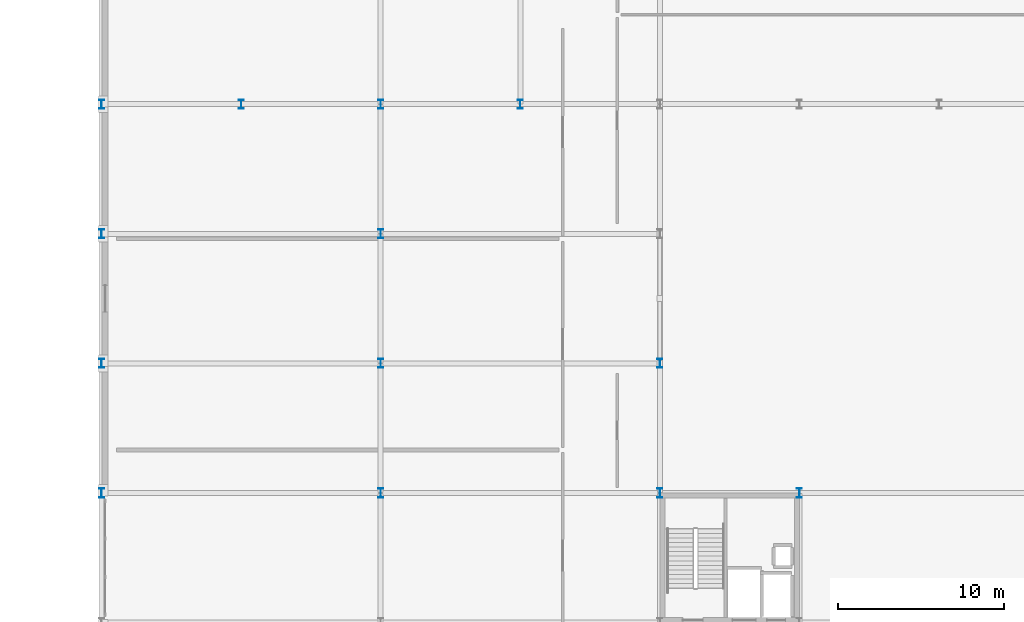
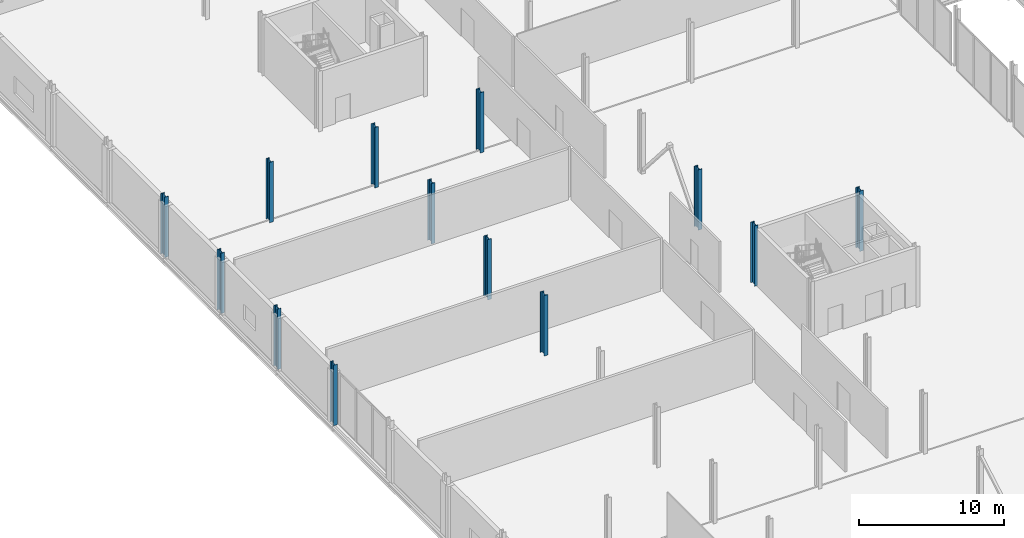
# One storey, part 8 of 105: 13 columns.
"""IFC4 building model written with IfcOpenShell, lengths in metres."""

from ifc_helpers import new_model, si_unit, direction, frame, origin, origin_2d, place, context, subcontext, project, spatial, i_section, extrude, material, material_profile, profile_set, type_object, element, save


model = new_model("IFC4")

# Units and contexts
model_context = context("Model", 3, precision=1e-05, world=origin(), true_north=direction((0.0, 1.0)))
body_context = subcontext(model_context, "Body", "Model", "MODEL_VIEW")
ifc_project = project(units=[si_unit("LENGTHUNIT", "METRE"), si_unit("AREAUNIT", "SQUARE_METRE"), si_unit("VOLUMEUNIT", "CUBIC_METRE"), si_unit("PLANEANGLEUNIT", "RADIAN"), si_unit("MASSUNIT", "GRAM", prefix="KILO")], contexts=[model_context])

# Site, building, storey
site_placement = place(None, origin())
site = spatial("IfcSite", under=ifc_project, at=site_placement, CompositionType="ELEMENT")
building_placement = place(site_placement, origin())
building = spatial("IfcBuilding", under=site, at=building_placement, Name="Nabrawat Pavilion Hospital", CompositionType="ELEMENT")
storey_placement = place(building_placement, frame((0.0, 0.0, 5.10009765625)))
storey = spatial("IfcBuildingStorey", under=building, at=storey_placement, Name="L01", CompositionType="ELEMENT", Elevation=5.10009765625)

# Columns
ifc_material = material(Name="Steel S355", Category="steel")
ifc_material_profile = material_profile(ifc_material, i_section(OverallWidth=0.300048828125, OverallDepth=0.550048828125, WebThickness=0.014892578125, FlangeThickness=0.029052734375, FilletRadius=0.027099609375, at=origin_2d()), Name="HEB 550")
ifc_profile_set = profile_set([ifc_material_profile], Name="Steel S355")
column_type = type_object("IfcColumnType", Name="Composite Steel Column HEB 550", PredefinedType="COLUMN", material=ifc_profile_set)
for number, where, z_axis, x_axis, name in (
    (1, (0.0, 62.39990234375, 0.0), (0.0, 0.0, 1.0), (1.0, 0.0, 0.0), "L01 Structural Column G-1-J"),
    (2, (0.0, 70.199951171875, 0.0), (0.0, 0.0, 1.0), (1.0, 0.0, 0.0), "L01 Structural Column G-1-K"),
    (3, (0.0, 78.0, 0.0), (0.0, 0.0, 1.0), (1.0, 0.0, 0.0), "L01 Structural Column G-1-L"),
    (4, (0.0, 85.800048828125, 0.0), (0.0, 0.0, 1.0), (1.0, 0.0, 0.0), "L01 Structural Column G-1-M1"),
    (5, (8.39990234375, 85.800048828125, 0.0), (0.0, 0.0, 1.0), (1.0, 0.0, 0.0), "L01 Structural Column G-2-M1"),
    (6, (16.800048828125, 62.39990234375, 0.0), (0.0, 0.0, 1.0), (1.0, 0.0, 0.0), "L01 Structural Column G-3-J"),
    (7, (16.800048828125, 70.199951171875, 0.0), (0.0, 0.0, 1.0), (1.0, 0.0, 0.0), "L01 Structural Column G-3-K"),
    (8, (16.800048828125, 78.0, 0.0), (0.0, 0.0, 1.0), (1.0, 0.0, 0.0), "L01 Structural Column G-3-L"),
    (9, (16.800048828125, 85.800048828125, 0.0), (0.0, 0.0, 1.0), (1.0, 0.0, 0.0), "L01 Structural Column G-3-M1"),
    (10, (25.199951171875, 85.800048828125, 0.0), (0.0, 0.0, 1.0), (1.0, 0.0, 0.0), "L01 Structural Column G-4-M1"),
    (11, (33.60009765625, 62.39990234375, 0.0), (0.0, 0.0, 1.0), (1.0, 0.0, 0.0), "L01 Structural Column G-5-J"),
    (12, (33.60009765625, 70.199951171875, 0.0), (0.0, 0.0, 1.0), (1.0, 0.0, 0.0), "L01 Structural Column G-5-K"),
    (13, (42.0, 62.39990234375, 0.0), (0.0, 0.0, 1.0), (1.0, 0.0, 0.0), "L01 Structural Column G-6-J"),
):
    element("IfcColumn", number, at=place(storey_placement, frame(where, z_axis=z_axis, x_axis=x_axis)), inside=storey, type_object=column_type, Name=name, PredefinedType="COLUMN", context=body_context, shape_type="SweptSolid", body=[
        extrude(i_section(OverallWidth=0.300048828125, OverallDepth=0.550048828125, WebThickness=0.014892578125, FlangeThickness=0.029052734375, FilletRadius=0.027099609375, at=origin_2d()), origin(), (0.0, 0.0, 1.0), 5.099853515625),
    ])

save(model, "model.ifc")
